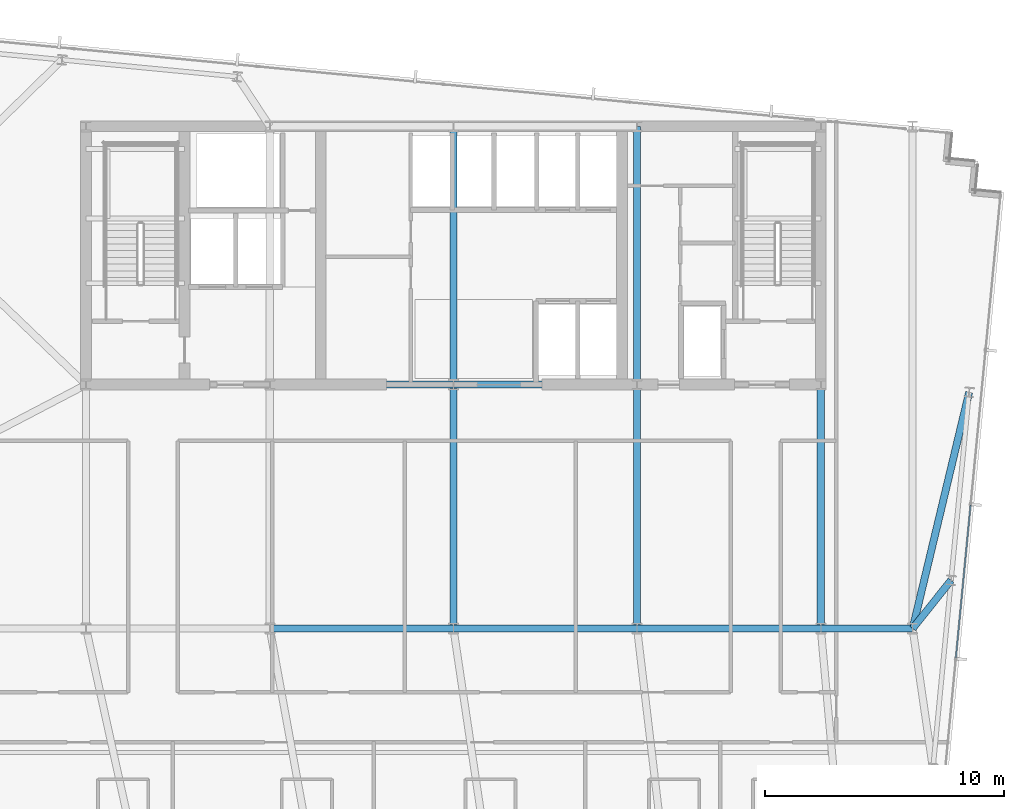
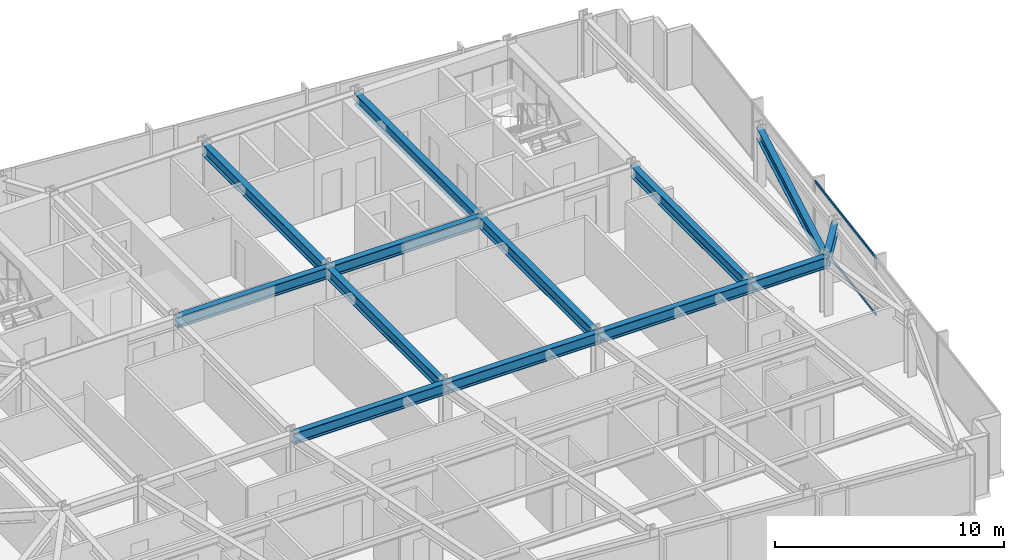
# One storey, part 17 of 38: 13 beams, 2 members, 1 element without a shape of its own.
"""IFC4 building model written with IfcOpenShell, lengths in metres."""

from ifc_helpers import new_model, si_unit, direction, frame, origin, origin_2d, place, context, subcontext, project, spatial, hollow_rectangle, i_section, extrude, material, material_profile, profile_set, type_object, element, aggregate, save


model = new_model("IFC4")

# Units and contexts
model_context = context("Model", 3, precision=1e-05, world=origin(), true_north=direction((0.0, 1.0)))
body_context = subcontext(model_context, "Body", "Model", "MODEL_VIEW")
ifc_project = project(units=[si_unit("LENGTHUNIT", "METRE"), si_unit("AREAUNIT", "SQUARE_METRE"), si_unit("VOLUMEUNIT", "CUBIC_METRE"), si_unit("PLANEANGLEUNIT", "RADIAN"), si_unit("MASSUNIT", "GRAM", prefix="KILO")], contexts=[model_context])

# Site, building, storey
site_placement = place(None, origin())
site = spatial("IfcSite", under=ifc_project, at=site_placement, CompositionType="ELEMENT")
building_placement = place(site_placement, origin())
building = spatial("IfcBuilding", under=site, at=building_placement, Name="Yelkora Congress Tower", CompositionType="ELEMENT")
storey_placement = place(building_placement, frame((0.0, 0.0, 185.300048828125)))
storey = spatial("IfcBuildingStorey", under=building, at=storey_placement, Name="L51", CompositionType="ELEMENT", Elevation=185.300048828125)

# Beams
ifc_material_1 = material(Name="Steel S355J2", Category="steel")
ifc_material_profile_1 = material_profile(ifc_material_1, i_section(OverallWidth=0.300048828125, OverallDepth=0.60009765625, WebThickness=0.015380859375, FlangeThickness=0.030029296875, FilletRadius=0.027099609375, at=origin_2d()), Name="HEB 600")
ifc_profile_set_1 = profile_set([ifc_material_profile_1], Name="Steel S355J2")
beam_type = type_object("IfcBeamType", Name="BM-GIRD-HEB600", PredefinedType="BEAM", material=ifc_profile_set_1)
beam_1_placement = place(storey_placement, frame((30.719970703125, 25.199951171875, 2.780029296875), z_axis=(1.0, 0.0, 0.0), x_axis=(0.0, 1.0, 0.0)))
element("IfcBeam", 1, at=beam_1_placement, inside=storey, type_object=beam_type, Name="L51 Spine Grid D Girder 3", PredefinedType="BEAM", context=body_context, shape_type="SweptSolid", body=[
    extrude(i_section(OverallWidth=0.300048828125, OverallDepth=0.60009765625, WebThickness=0.015380859375, FlangeThickness=0.030029296875, FilletRadius=0.027099609375, at=origin_2d()), origin(), (0.0, 0.0, 1.0), 7.679931640625),
])
beam_2_placement = place(storey_placement, frame((38.39990234375, 25.199951171875, 2.780029296875), z_axis=(1.0, 0.0, 0.0), x_axis=(0.0, 1.0, 0.0)))
element("IfcBeam", 2, at=beam_2_placement, inside=storey, type_object=beam_type, Name="L51 Spine Grid D Girder 4", PredefinedType="BEAM", context=body_context, shape_type="SweptSolid", body=[
    extrude(i_section(OverallWidth=0.300048828125, OverallDepth=0.60009765625, WebThickness=0.015380859375, FlangeThickness=0.030029296875, FilletRadius=0.027099609375, at=origin_2d()), origin(), (0.0, 0.0, 1.0), 7.68017578125),
])
beam_3_placement = place(storey_placement, frame((46.080078125, 25.199951171875, 2.780029296875), z_axis=(1.0, 0.0, 0.0), x_axis=(0.0, 1.0, 0.0)))
element("IfcBeam", 3, at=beam_3_placement, inside=storey, type_object=beam_type, Name="L51 Spine Grid D Girder 5", PredefinedType="BEAM", context=body_context, shape_type="SweptSolid", body=[
    extrude(i_section(OverallWidth=0.300048828125, OverallDepth=0.60009765625, WebThickness=0.015380859375, FlangeThickness=0.030029296875, FilletRadius=0.027099609375, at=origin_2d()), origin(), (0.0, 0.0, 1.0), 7.679931640625),
])
beam_4_placement = place(storey_placement, frame((53.760009765625, 25.199951171875, 2.780029296875), z_axis=(1.0, 0.0, 0.0), x_axis=(0.0, 1.0, 0.0)))
element("IfcBeam", 4, at=beam_4_placement, inside=storey, type_object=beam_type, Name="L51 Spine Grid D Girder 6", PredefinedType="BEAM", context=body_context, shape_type="SweptSolid", body=[
    extrude(i_section(OverallWidth=0.300048828125, OverallDepth=0.60009765625, WebThickness=0.015380859375, FlangeThickness=0.030029296875, FilletRadius=0.027099609375, at=origin_2d()), origin(), (0.0, 0.0, 1.0), 3.840087890625),
])
beam_5_placement = place(storey_placement, frame((30.719970703125, 35.39990234375, 2.780029296875), z_axis=(1.0, 0.0, 0.0), x_axis=(0.0, 1.0, 0.0)))
element("IfcBeam", 5, at=beam_5_placement, inside=storey, type_object=beam_type, Name="L51 Core South Girder 2", PredefinedType="BEAM", context=body_context, shape_type="SweptSolid", body=[
    extrude(i_section(OverallWidth=0.300048828125, OverallDepth=0.60009765625, WebThickness=0.015380859375, FlangeThickness=0.030029296875, FilletRadius=0.027099609375, at=origin_2d()), origin(), (0.0, 0.0, 1.0), 7.679931640625),
])
beam_6_placement = place(storey_placement, frame((38.39990234375, 35.39990234375, 2.780029296875), z_axis=(1.0, 0.0, 0.0), x_axis=(0.0, 1.0, 0.0)))
element("IfcBeam", 6, at=beam_6_placement, inside=storey, type_object=beam_type, Name="L51 Core South Girder 3", PredefinedType="BEAM", context=body_context, shape_type="SweptSolid", body=[
    extrude(i_section(OverallWidth=0.300048828125, OverallDepth=0.60009765625, WebThickness=0.015380859375, FlangeThickness=0.030029296875, FilletRadius=0.027099609375, at=origin_2d()), origin(), (0.0, 0.0, 1.0), 7.68017578125),
])
beam_7_placement = place(storey_placement, frame((38.39990234375, 25.199951171875, 2.780029296875), z_axis=(0.0, 1.0, 0.0), x_axis=(-1.0, 0.0, 0.0)))
element("IfcBeam", 7, at=beam_7_placement, inside=storey, type_object=beam_type, Name="L51 Core Tie Girder MC-D3", PredefinedType="BEAM", context=body_context, shape_type="SweptSolid", body=[
    extrude(i_section(OverallWidth=0.300048828125, OverallDepth=0.60009765625, WebThickness=0.015380859375, FlangeThickness=0.030029296875, FilletRadius=0.027099609375, at=origin_2d()), origin(), (0.0, 0.0, 1.0), 10.199951171875),
])
beam_8_placement = place(storey_placement, frame((38.39990234375, 35.39990234375, 2.780029296875), z_axis=(0.0, 1.0, 0.0), x_axis=(-1.0, 0.0, 0.0)))
element("IfcBeam", 8, at=beam_8_placement, inside=storey, type_object=beam_type, Name="L51 Core Tie Girder MC-S3", PredefinedType="BEAM", context=body_context, shape_type="SweptSolid", body=[
    extrude(i_section(OverallWidth=0.300048828125, OverallDepth=0.60009765625, WebThickness=0.015380859375, FlangeThickness=0.030029296875, FilletRadius=0.027099609375, at=origin_2d()), origin(), (0.0, 0.0, 1.0), 10.800048828125),
])
beam_9_placement = place(storey_placement, frame((46.080078125, 25.199951171875, 2.780029296875), z_axis=(0.0, 1.0, 0.0), x_axis=(-1.0, 0.0, 0.0)))
element("IfcBeam", 9, at=beam_9_placement, inside=storey, type_object=beam_type, Name="L51 Core Tie Girder MC-D4", PredefinedType="BEAM", context=body_context, shape_type="SweptSolid", body=[
    extrude(i_section(OverallWidth=0.300048828125, OverallDepth=0.60009765625, WebThickness=0.015380859375, FlangeThickness=0.030029296875, FilletRadius=0.027099609375, at=origin_2d()), origin(), (0.0, 0.0, 1.0), 10.199951171875),
])
beam_10_placement = place(storey_placement, frame((46.080078125, 35.39990234375, 2.780029296875), z_axis=(0.0, 1.0, 0.0), x_axis=(-1.0, 0.0, 0.0)))
element("IfcBeam", 10, at=beam_10_placement, inside=storey, type_object=beam_type, Name="L51 Core Tie Girder MC-S4", PredefinedType="BEAM", context=body_context, shape_type="SweptSolid", body=[
    extrude(i_section(OverallWidth=0.300048828125, OverallDepth=0.60009765625, WebThickness=0.015380859375, FlangeThickness=0.030029296875, FilletRadius=0.027099609375, at=origin_2d()), origin(), (0.0, 0.0, 1.0), 10.800048828125),
])
beam_11_placement = place(storey_placement, frame((53.760009765625, 25.199951171875, 2.780029296875), z_axis=(0.0, 1.0, 0.0), x_axis=(-1.0, 0.0, 0.0)))
element("IfcBeam", 11, at=beam_11_placement, inside=storey, type_object=beam_type, Name="L51 Core Tie Girder MC-D5", PredefinedType="BEAM", context=body_context, shape_type="SweptSolid", body=[
    extrude(i_section(OverallWidth=0.300048828125, OverallDepth=0.60009765625, WebThickness=0.015380859375, FlangeThickness=0.030029296875, FilletRadius=0.027099609375, at=origin_2d()), origin(), (0.0, 0.0, 1.0), 10.199951171875),
])
beam_12_placement = place(storey_placement, frame((59.206298828125, 27.217529296875, 2.780029296875), z_axis=(-0.622834511353, -0.782353610248, 0.0), x_axis=(0.782353610248, -0.622834511353, 0.0)))
element("IfcBeam", 12, at=beam_12_placement, inside=storey, type_object=beam_type, Name="L51 Primary Frame Girder E02", PredefinedType="BEAM", context=body_context, shape_type="SweptSolid", body=[
    extrude(i_section(OverallWidth=0.300048828125, OverallDepth=0.60009765625, WebThickness=0.015380859375, FlangeThickness=0.030029296875, FilletRadius=0.027099609375, at=origin_2d()), origin(), (0.0, 0.0, 1.0), 2.578857421875),
])
beam_13_placement = place(storey_placement, frame((59.96337890625, 35.0810546875, 2.780029296875), z_axis=(-0.23261126158, -0.972569792347, 0.0), x_axis=(0.972569792347, -0.23261126158, 0.0)))
element("IfcBeam", 13, at=beam_13_placement, inside=storey, type_object=beam_type, Name="L51 Primary Frame Girder E03", PredefinedType="BEAM", context=body_context, shape_type="SweptSolid", body=[
    extrude(i_section(OverallWidth=0.300048828125, OverallDepth=0.60009765625, WebThickness=0.015380859375, FlangeThickness=0.030029296875, FilletRadius=0.027099609375, at=origin_2d()), origin(), (0.0, 0.0, 1.0), 10.15966796875),
])

# Curtain wall, members
ifc_material_2 = material(Name="Anodised aluminium and insulated glass", Category="aluminium")
curtain_wall_type = type_object("IfcCurtainWallType", Name="CW-SYS-B3", PredefinedType="NOTDEFINED", material=ifc_material_2)
curtain_wall_placement = place(storey_placement, origin())
curtain_wall = element("IfcCurtainWall", 14, at=curtain_wall_placement, inside=storey, type_object=curtain_wall_type, Name="L51 Unitised Curtain Wall 15", PredefinedType="NOTDEFINED")
ifc_material_3 = material(Name="Anodised aluminium 6063-T6", Category="aluminium")
ifc_material_profile_2 = material_profile(ifc_material_3, hollow_rectangle(XDim=0.06005859375, YDim=0.1298828125, WallThickness=0.00390625, at=origin_2d()), Name="ALU 60x130x4")
ifc_profile_set_2 = profile_set([ifc_material_profile_2], Name="Anodised aluminium 6063-T6")
member_type = type_object("IfcMemberType", Name="MEM-TR-B3", PredefinedType="USERDEFINED", material=ifc_profile_set_2)
member_1_placement = place(storey_placement, frame((60.021484375, 30.36083984375, 0.030029296875), z_axis=(-0.095843682057, -0.995396397728, 0.0), x_axis=(0.995396397728, -0.095843682057, 0.0)))
member_1 = element("IfcMember", 15, at=member_1_placement, type_object=member_type, Name="CW-B3 transom 3.1", ObjectType="TRANSOM", PredefinedType="USERDEFINED", context=body_context, shape_type="SweptSolid", body=[
    extrude(hollow_rectangle(XDim=0.06005859375, YDim=0.1298828125, WallThickness=0.00390625, at=origin_2d()), origin(), (0.0, 0.0, 1.0), 6.4140625),
])
member_2_placement = place(storey_placement, frame((60.021484375, 30.36083984375, 3.050048828125), z_axis=(-0.095843682057, -0.995396397728, 0.0), x_axis=(0.995396397728, -0.095843682057, 0.0)))
member_2 = element("IfcMember", 16, at=member_2_placement, type_object=member_type, Name="CW-B3 transom 3.2", ObjectType="TRANSOM", PredefinedType="USERDEFINED", context=body_context, shape_type="SweptSolid", body=[
    extrude(hollow_rectangle(XDim=0.06005859375, YDim=0.1298828125, WallThickness=0.00390625, at=origin_2d()), origin(), (0.0, 0.0, 1.0), 6.4140625),
])
aggregate(curtain_wall, [member_1, member_2])

save(model, "model.ifc")
